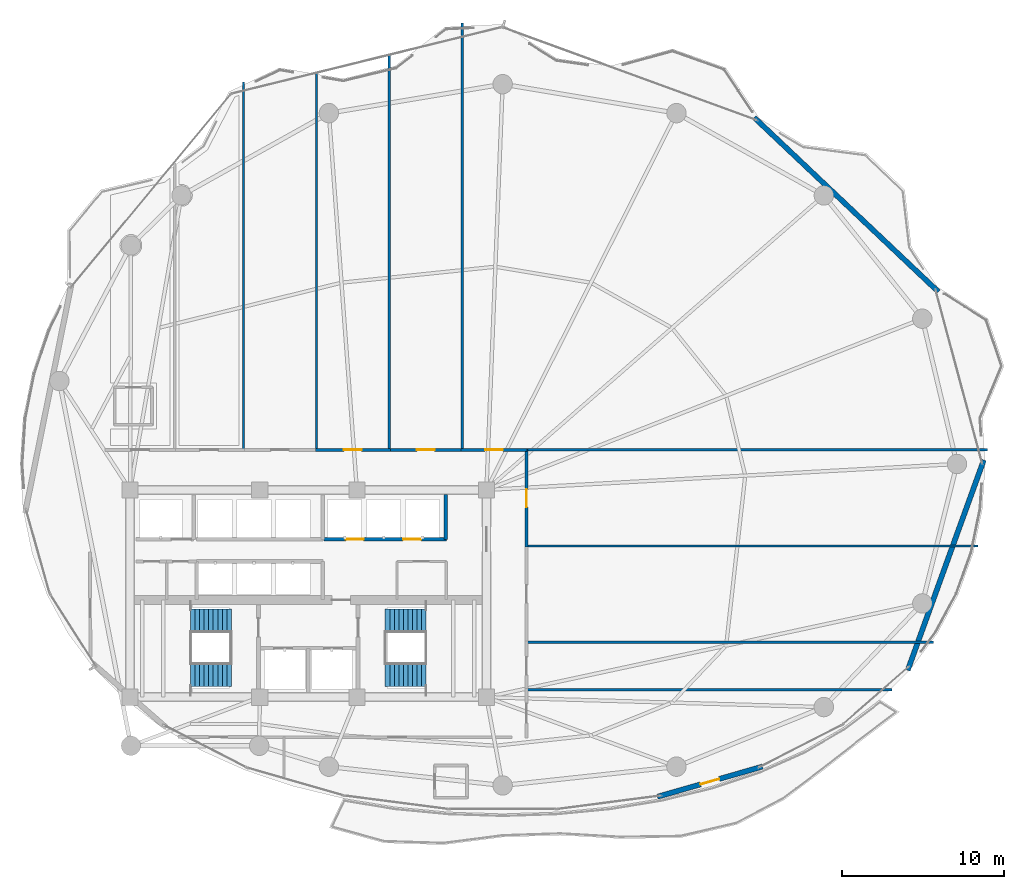
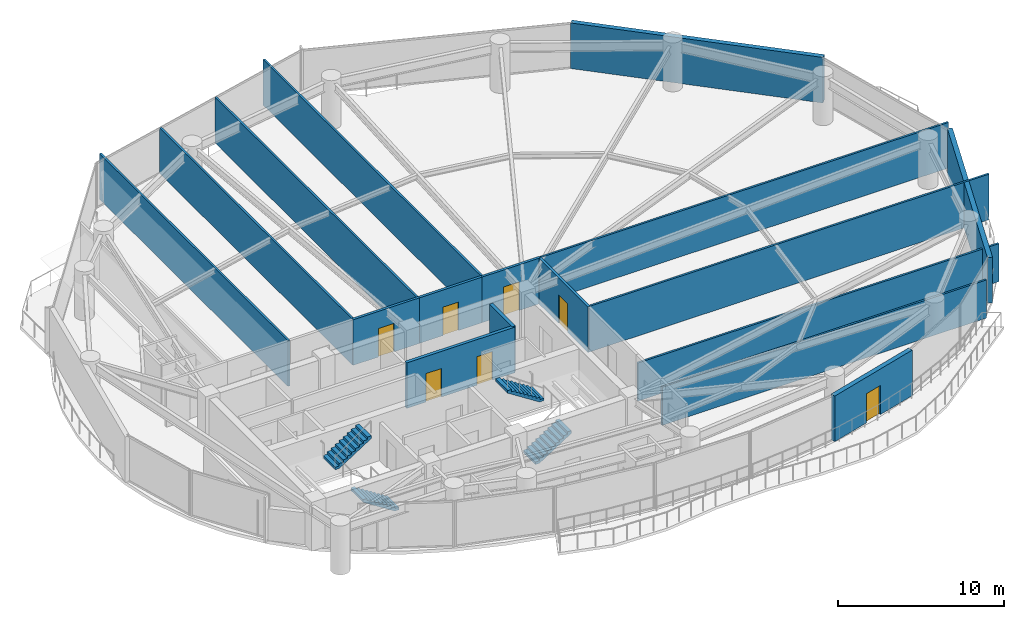
# One storey, part 24 of 28: 17 walls, 7 doors, 4 stair flights, 7 openings, 2 elements without a shape of their own.
"""IFC4 building model written with IfcOpenShell, lengths in metres."""

from ifc_helpers import new_model, si_unit, direction, frame, frame_2d, origin, place, context, subcontext, project, spatial, polyline, rectangle, outline, extrude, material, layer, layer_set, type_object, element, fill, aggregate, save


model = new_model("IFC4")

# Units and contexts
model_context = context("Model", 3, precision=1e-05, world=origin(), true_north=direction((0.0, 1.0)))
body_context = subcontext(model_context, "Body", "Model", "MODEL_VIEW")
ifc_project = project(units=[si_unit("LENGTHUNIT", "METRE"), si_unit("AREAUNIT", "SQUARE_METRE"), si_unit("VOLUMEUNIT", "CUBIC_METRE"), si_unit("PLANEANGLEUNIT", "RADIAN"), si_unit("MASSUNIT", "GRAM", prefix="KILO")], contexts=[model_context])

# Site, building, storey
site_placement = place(None, origin())
site = spatial("IfcSite", under=ifc_project, at=site_placement, CompositionType="ELEMENT")
building_placement = place(site_placement, origin())
building = spatial("IfcBuilding", under=site, at=building_placement, Name="Kazevale Care Tower and Concert Hall", CompositionType="ELEMENT")
storey_placement = place(building_placement, frame((0.0, 0.0, 102.60009765625)))
storey = spatial("IfcBuildingStorey", under=building, at=storey_placement, Name="L26", CompositionType="ELEMENT", Elevation=102.60009765625)

# Walls
ifc_material_1 = material(Name="Acoustic Gypsum on Steel Stud", Category="steel")
ifc_layer_1 = layer(ifc_material_1, 0.139892578125)
ifc_layer_set_1 = layer_set([ifc_layer_1], Name="Acoustic Gypsum on Steel Stud")
wall_type_1 = type_object("IfcWallType", Name="Acoustic Care & Suite Partition 140", PredefinedType="PARTITIONING", material=ifc_layer_set_1)
wall_1_placement = place(storey_placement, frame((29.0, 61.591064453125, 0.0), z_axis=(0.0, 0.0, 1.0), x_axis=(0.0, -1.0, 0.0)))
element("IfcWall", 1, at=wall_1_placement, inside=storey, type_object=wall_type_1, Name="wall:L26:auto_015", PredefinedType="PARTITIONING", context=body_context, shape_type="SweptSolid", body=[
    extrude(rectangle(XDim=22.74609375, YDim=0.139892578125, at=frame_2d((11.373046875, 0.0))), origin(), (0.0, 0.0, 1.0), 3.35986328125),
])
wall_2_placement = place(storey_placement, frame((33.5, 62.13720703125, 0.0), z_axis=(0.0, 0.0, 1.0), x_axis=(0.0, -1.0, 0.0)))
element("IfcWall", 2, at=wall_2_placement, inside=storey, type_object=wall_type_1, Name="wall:L26:auto_016", PredefinedType="PARTITIONING", context=body_context, shape_type="SweptSolid", body=[
    extrude(rectangle(XDim=23.292236328125, YDim=0.139892578125, at=frame_2d((11.64599609375, 0.0))), origin(), (0.0, 0.0, 1.0), 3.35986328125),
])
wall_3_placement = place(storey_placement, frame((38.0, 63.2451171875, 0.0), z_axis=(0.0, 0.0, 1.0), x_axis=(0.0, -1.0, 0.0)))
element("IfcWall", 3, at=wall_3_placement, inside=storey, type_object=wall_type_1, Name="wall:L26:auto_017", PredefinedType="PARTITIONING", context=body_context, shape_type="SweptSolid", body=[
    extrude(rectangle(XDim=24.400146484375, YDim=0.139892578125, at=frame_2d((12.2001953125, 0.0))), origin(), (0.0, 0.0, 1.0), 3.35986328125),
])
wall_4_placement = place(storey_placement, frame((42.5, 65.22998046875, 0.0), z_axis=(0.0, 0.0, 1.0), x_axis=(0.0, -1.0, 0.0)))
element("IfcWall", 4, at=wall_4_placement, inside=storey, type_object=wall_type_1, Name="wall:L26:auto_018", PredefinedType="PARTITIONING", context=body_context, shape_type="SweptSolid", body=[
    extrude(rectangle(XDim=26.385009765625, YDim=0.139892578125, at=frame_2d((13.1923828125, 0.0))), origin(), (0.0, 0.0, 1.0), 3.35986328125),
])
wall_5_placement = place(storey_placement, frame((74.94091796875, 38.875, 0.0), z_axis=(0.0, 0.0, 1.0), x_axis=(-1.0, 0.0, 0.0)))
element("IfcWall", 5, at=wall_5_placement, inside=storey, type_object=wall_type_1, Name="wall:L26:auto_019", PredefinedType="PARTITIONING", context=body_context, shape_type="SweptSolid", body=[
    extrude(rectangle(XDim=28.531005859375, YDim=0.139892578125, at=frame_2d((14.265625, 0.0))), origin(), (0.0, 0.0, 1.0), 3.35986328125),
])
wall_6_placement = place(storey_placement, frame((46.445068359375, 24.06005859375, 0.0), z_axis=(0.0, 0.0, 1.0), x_axis=(1.0, 0.0, 0.0)))
element("IfcWall", 6, at=wall_6_placement, inside=storey, type_object=wall_type_1, Name="wall:L26:auto_020", PredefinedType="PARTITIONING", context=body_context, shape_type="SweptSolid", body=[
    extrude(rectangle(XDim=22.5908203125, YDim=0.139892578125, at=frame_2d((11.29541015625, 0.0))), origin(), (0.0, 0.0, 1.0), 2.805908203125),
])
wall_7_placement = place(storey_placement, frame((46.445068359375, 27.0, 0.0), z_axis=(0.0, 0.0, 1.0), x_axis=(1.0, 0.0, 0.0)))
element("IfcWall", 7, at=wall_7_placement, inside=storey, type_object=wall_type_1, Name="wall:L26:auto_021", PredefinedType="PARTITIONING", context=body_context, shape_type="SweptSolid", body=[
    extrude(rectangle(XDim=25.14794921875, YDim=0.139892578125, at=frame_2d((12.573974609375, 0.0))), origin(), (0.0, 0.0, 1.0), 2.805908203125),
])
wall_8_placement = place(storey_placement, frame((46.445068359375, 32.93994140625, 0.0), z_axis=(0.0, 0.0, 1.0), x_axis=(1.0, 0.0, 0.0)))
element("IfcWall", 8, at=wall_8_placement, inside=storey, type_object=wall_type_1, Name="wall:L26:auto_022", PredefinedType="PARTITIONING", context=body_context, shape_type="SweptSolid", body=[
    extrude(rectangle(XDim=27.89697265625, YDim=0.139892578125, at=frame_2d((13.948486328125, 0.0))), origin(), (0.0, 0.0, 1.0), 3.35986328125),
])

# Wall, openings, doors
ifc_material_2 = material(Name="Concrete C40", Category="concrete")
ifc_layer_2 = layer(ifc_material_2, 0.219970703125)
ifc_layer_set_2 = layer_set([ifc_layer_2], Name="Concrete C40")
wall_type_2 = type_object("IfcWallType", Name="Elevator Hoistway Shaft Wall 220", PredefinedType="SOLIDWALL", material=ifc_layer_set_2)
wall_9_placement = place(storey_placement, frame((33.97998046875, 33.35009765625, 0.0), z_axis=(0.0, 0.0, 1.0), x_axis=(1.0, 0.0, 0.0)))
wall_9 = element("IfcWall", 9, at=wall_9_placement, inside=storey, type_object=wall_type_2, Name="wall:L26:c_pm_s", PredefinedType="SOLIDWALL", context=body_context, shape_type="SweptSolid", body=[
    extrude(rectangle(XDim=7.5400390625, YDim=0.219970703125, at=frame_2d((3.77001953125, 0.0))), origin(), (0.0, 0.0, 1.0), 3.35986328125),
])
opening_1_placement = place(wall_9_placement, frame((1.3349609375, 0.0, 0.0)))
opening_1 = element("IfcOpeningElement", 10, at=opening_1_placement, cuts=wall_9, Name="Opening LD-PAX", PredefinedType="OPENING", context=body_context, shape_type="SweptSolid", body=[
    extrude(rectangle(XDim=1.10009765625, YDim=2.10009765625, at=frame_2d((0.550048828125, 1.050048828125))), frame((0.0, 0.119873046875, 0.0), z_axis=(0.0, -1.0, 0.0), x_axis=(1.0, 0.0, 0.0)), (0.0, 0.0, 1.0), 0.239990234375),
])
opening_2_placement = place(wall_9_placement, frame((4.87890625, 0.0, 0.0)))
opening_2 = element("IfcOpeningElement", 11, at=opening_2_placement, cuts=wall_9, Name="Opening LD-PAX", PredefinedType="OPENING", context=body_context, shape_type="SweptSolid", body=[
    extrude(rectangle(XDim=1.10009765625, YDim=2.10009765625, at=frame_2d((0.550048828125, 1.050048828125))), frame((0.0, 0.119873046875, 0.0), z_axis=(0.0, -1.0, 0.0), x_axis=(1.0, 0.0, 0.0)), (0.0, 0.0, 1.0), 0.239990234375),
])
ifc_material_3 = material(Name="Stainless Steel 316", Category="steel")
door_type_1 = type_object("IfcDoorType", Name="Passenger Lift Sliding Landing Door 1100x2100", OperationType="NOTDEFINED", PredefinedType="DOOR", material=ifc_material_3)
door_1_placement = place(opening_1_placement, origin())
door_1 = element("IfcDoor", 12, at=door_1_placement, inside=storey, type_object=door_type_1, Name="door:L26:ld_pm1", OperationType="SLIDING_TO_LEFT", OverallHeight=2.10009765625, OverallWidth=1.10009765625, PredefinedType="DOOR", context=body_context, shape_type="SweptSolid", body=[
    extrude(rectangle(XDim=1.10009765625, YDim=2.10009765625, at=frame_2d((0.550048828125, 1.050048828125))), frame((0.0, 0.02490234375, 0.0), z_axis=(0.0, -1.0, 0.0), x_axis=(1.0, 0.0, 0.0)), (0.0, 0.0, 1.0), 0.050048828125),
])
fill(opening_1, door_1)
door_2_placement = place(opening_2_placement, origin())
door_2 = element("IfcDoor", 13, at=door_2_placement, inside=storey, type_object=door_type_1, Name="door:L26:ld_pm2", OperationType="SLIDING_TO_RIGHT", OverallHeight=2.10009765625, OverallWidth=1.10009765625, PredefinedType="DOOR", context=body_context, shape_type="SweptSolid", body=[
    extrude(rectangle(XDim=1.10009765625, YDim=2.10009765625, at=frame_2d((0.550048828125, 1.050048828125))), frame((0.0, 0.02490234375, 0.0), z_axis=(0.0, -1.0, 0.0), x_axis=(1.0, 0.0, 0.0)), (0.0, 0.0, 1.0), 0.050048828125),
])
fill(opening_2, door_2)

# Wall
wall_10_placement = place(storey_placement, frame((41.5, 33.35009765625, 0.0), z_axis=(0.0, 0.0, 1.0), x_axis=(0.0, 1.0, 0.0)))
element("IfcWall", 14, at=wall_10_placement, inside=storey, type_object=wall_type_2, Name="wall:L26:c_pm_e", PredefinedType="SOLIDWALL", context=body_context, shape_type="SweptSolid", body=[
    extrude(rectangle(XDim=2.75, YDim=0.219970703125, at=frame_2d((1.375, 0.0))), origin(), (0.0, 0.0, 1.0), 3.35986328125),
])

# Wall, opening, door
ifc_material_4 = material(Name="Concrete C40 and Acoustic Gypsum", Category="concrete")
ifc_layer_3 = layer(ifc_material_4, 0.179931640625)
ifc_layer_set_3 = layer_set([ifc_layer_3], Name="Concrete C40 and Acoustic Gypsum")
wall_type_3 = type_object("IfcWallType", Name="Fire-Rated Corridor & Party Wall 180", PredefinedType="PARTITIONING", material=ifc_layer_set_3)
wall_11_placement = place(storey_placement, frame((33.43505859375, 38.875, 0.0), z_axis=(0.0, 0.0, 1.0), x_axis=(1.0, 0.0, 0.0)))
wall_11 = element("IfcWall", 15, at=wall_11_placement, inside=storey, type_object=wall_type_3, Name="wall:L26:auto_004", PredefinedType="PARTITIONING", context=body_context, shape_type="SweptSolid", body=[
    extrude(rectangle(XDim=4.6298828125, YDim=0.179931640625, at=frame_2d((2.31494140625, 0.0))), origin(), (0.0, 0.0, 1.0), 3.35986328125),
])
opening_3_placement = place(wall_11_placement, frame((1.764892578125, 0.0, 0.0)))
opening_3 = element("IfcOpeningElement", 16, at=opening_3_placement, cuts=wall_11, Name="Opening ID-1100", PredefinedType="OPENING", context=body_context, shape_type="SweptSolid", body=[
    extrude(rectangle(XDim=1.10009765625, YDim=2.10009765625, at=frame_2d((0.550048828125, 1.050048828125))), frame((0.0, 0.099853515625, 0.0), z_axis=(0.0, -1.0, 0.0), x_axis=(1.0, 0.0, 0.0)), (0.0, 0.0, 1.0), 0.199951171875),
])
ifc_material_5 = material(Name="Oak Timber Fire Leaf", Category="wood")
door_type_2 = type_object("IfcDoorType", Name="Care Bedroom Accessible Door 1100x2100", OperationType="NOTDEFINED", PredefinedType="DOOR", material=ifc_material_5)
door_3_placement = place(opening_3_placement, origin())
door_3 = element("IfcDoor", 17, at=door_3_placement, inside=storey, type_object=door_type_2, Name="door:L26:ad_004", OperationType="SINGLE_SWING_LEFT", OverallHeight=2.10009765625, OverallWidth=1.10009765625, PredefinedType="DOOR", context=body_context, shape_type="SweptSolid", body=[
    extrude(rectangle(XDim=1.10009765625, YDim=2.10009765625, at=frame_2d((0.550048828125, 1.050048828125))), frame((0.0, 0.02490234375, 0.0), z_axis=(0.0, -1.0, 0.0), x_axis=(1.0, 0.0, 0.0)), (0.0, 0.0, 1.0), 0.050048828125),
])
fill(opening_3, door_3)

wall_12_placement = place(storey_placement, frame((37.93505859375, 38.875, 0.0), z_axis=(0.0, 0.0, 1.0), x_axis=(1.0, 0.0, 0.0)))
wall_12 = element("IfcWall", 18, at=wall_12_placement, inside=storey, type_object=wall_type_3, Name="wall:L26:auto_005", PredefinedType="PARTITIONING", context=body_context, shape_type="SweptSolid", body=[
    extrude(rectangle(XDim=4.6298828125, YDim=0.179931640625, at=frame_2d((2.31494140625, 0.0))), origin(), (0.0, 0.0, 1.0), 3.35986328125),
])
opening_4_placement = place(wall_12_placement, frame((1.764892578125, 0.0, 0.0)))
opening_4 = element("IfcOpeningElement", 19, at=opening_4_placement, cuts=wall_12, Name="Opening ID-1100", PredefinedType="OPENING", context=body_context, shape_type="SweptSolid", body=[
    extrude(rectangle(XDim=1.10009765625, YDim=2.10009765625, at=frame_2d((0.550048828125, 1.050048828125))), frame((0.0, 0.099853515625, 0.0), z_axis=(0.0, -1.0, 0.0), x_axis=(1.0, 0.0, 0.0)), (0.0, 0.0, 1.0), 0.199951171875),
])
door_4_placement = place(opening_4_placement, origin())
door_4 = element("IfcDoor", 20, at=door_4_placement, inside=storey, type_object=door_type_2, Name="door:L26:ad_005", OperationType="SINGLE_SWING_LEFT", OverallHeight=2.10009765625, OverallWidth=1.10009765625, PredefinedType="DOOR", context=body_context, shape_type="SweptSolid", body=[
    extrude(rectangle(XDim=1.10009765625, YDim=2.10009765625, at=frame_2d((0.550048828125, 1.050048828125))), frame((0.0, 0.02490234375, 0.0), z_axis=(0.0, -1.0, 0.0), x_axis=(1.0, 0.0, 0.0)), (0.0, 0.0, 1.0), 0.050048828125),
])
fill(opening_4, door_4)

wall_13_placement = place(storey_placement, frame((42.43505859375, 38.875, 0.0), z_axis=(0.0, 0.0, 1.0), x_axis=(1.0, 0.0, 0.0)))
wall_13 = element("IfcWall", 21, at=wall_13_placement, inside=storey, type_object=wall_type_3, Name="wall:L26:auto_006", PredefinedType="PARTITIONING", context=body_context, shape_type="SweptSolid", body=[
    extrude(rectangle(XDim=4.06982421875, YDim=0.179931640625, at=frame_2d((2.034912109375, 0.0))), origin(), (0.0, 0.0, 1.0), 3.35986328125),
])
opening_5_placement = place(wall_13_placement, frame((1.485107421875, 0.0, 0.0)))
opening_5 = element("IfcOpeningElement", 22, at=opening_5_placement, cuts=wall_13, Name="Opening ID-1100", PredefinedType="OPENING", context=body_context, shape_type="SweptSolid", body=[
    extrude(rectangle(XDim=1.10009765625, YDim=2.10009765625, at=frame_2d((0.550048828125, 1.050048828125))), frame((0.0, 0.099853515625, 0.0), z_axis=(0.0, -1.0, 0.0), x_axis=(1.0, 0.0, 0.0)), (0.0, 0.0, 1.0), 0.199951171875),
])
door_5_placement = place(opening_5_placement, origin())
door_5 = element("IfcDoor", 23, at=door_5_placement, inside=storey, type_object=door_type_2, Name="door:L26:ad_006", OperationType="SINGLE_SWING_LEFT", OverallHeight=2.10009765625, OverallWidth=1.10009765625, PredefinedType="DOOR", context=body_context, shape_type="SweptSolid", body=[
    extrude(rectangle(XDim=1.10009765625, YDim=2.10009765625, at=frame_2d((0.550048828125, 1.050048828125))), frame((0.0, 0.02490234375, 0.0), z_axis=(0.0, -1.0, 0.0), x_axis=(1.0, 0.0, 0.0)), (0.0, 0.0, 1.0), 0.050048828125),
])
fill(opening_5, door_5)

wall_14_placement = place(storey_placement, frame((46.47509765625, 38.905029296875, 0.0), z_axis=(0.0, 0.0, 1.0), x_axis=(0.0, -1.0, 0.0)))
wall_14 = element("IfcWall", 24, at=wall_14_placement, inside=storey, type_object=wall_type_3, Name="wall:L26:auto_010", PredefinedType="PARTITIONING", context=body_context, shape_type="SweptSolid", body=[
    extrude(rectangle(XDim=6.030029296875, YDim=0.179931640625, at=frame_2d((3.01513671875, 0.0))), origin(), (0.0, 0.0, 1.0), 3.35986328125),
])
opening_6_placement = place(wall_14_placement, frame((2.465087890625, 0.0, 0.0)))
opening_6 = element("IfcOpeningElement", 25, at=opening_6_placement, cuts=wall_14, Name="Opening ID-1100", PredefinedType="OPENING", context=body_context, shape_type="SweptSolid", body=[
    extrude(rectangle(XDim=1.10009765625, YDim=2.10009765625, at=frame_2d((0.550048828125, 1.050048828125))), frame((0.0, 0.099853515625, 0.0), z_axis=(0.0, -1.0, 0.0), x_axis=(1.0, 0.0, 0.0)), (0.0, 0.0, 1.0), 0.199951171875),
])
door_6_placement = place(opening_6_placement, origin())
door_6 = element("IfcDoor", 26, at=door_6_placement, inside=storey, type_object=door_type_2, Name="door:L26:ad_010", OperationType="SINGLE_SWING_LEFT", OverallHeight=2.10009765625, OverallWidth=1.10009765625, PredefinedType="DOOR", context=body_context, shape_type="SweptSolid", body=[
    extrude(rectangle(XDim=1.10009765625, YDim=2.10009765625, at=frame_2d((0.550048828125, 1.050048828125))), frame((0.0, 0.02490234375, 0.0), z_axis=(0.0, -1.0, 0.0), x_axis=(1.0, 0.0, 0.0)), (0.0, 0.0, 1.0), 0.050048828125),
])
fill(opening_6, door_6)

# Wall
ifc_material_6 = material(Name="Concrete C40 with Honed Limestone Cladding", Category="masonry")
ifc_layer_4 = layer(ifc_material_6, 0.320068359375)
ifc_layer_set_4 = layer_set([ifc_layer_4], Name="Concrete C40 with Honed Limestone Cladding")
wall_type_4 = type_object("IfcWallType", Name="Tower Honed Limestone Spandrel Wall 320", PredefinedType="STANDARD", material=ifc_layer_set_4)
wall_15_placement = place(storey_placement, frame((74.7080078125, 38.243896484375, 0.0), z_axis=(0.0, 0.0, 1.0), x_axis=(-0.340324669139, -0.94030799187, 0.0)))
element("IfcWall", 27, at=wall_15_placement, inside=storey, type_object=wall_type_4, Name="wall:cw:L26:f01", PredefinedType="STANDARD", context=body_context, shape_type="SweptSolid", body=[
    extrude(rectangle(XDim=13.810302734375, YDim=0.320068359375, at=frame_2d((6.9052734375, 0.0))), origin(), (0.0, 0.0, 1.0), 3.35986328125),
])

# Wall, opening, door
wall_16_placement = place(storey_placement, frame((61.0390625, 19.31689453125, 0.0), z_axis=(0.0, 0.0, 1.0), x_axis=(-0.96106509915, -0.276322049784, 0.0)))
wall_16 = element("IfcWall", 28, at=wall_16_placement, inside=storey, type_object=wall_type_4, Name="wall:L26:bal_host", PredefinedType="STANDARD", context=body_context, shape_type="SweptSolid", body=[
    extrude(rectangle(XDim=6.745849609375, YDim=0.320068359375, at=frame_2d((3.373046875, 0.0))), origin(), (0.0, 0.0, 1.0), 3.35986328125),
])
opening_7_placement = place(wall_16_placement, frame((2.77294921875, 0.0, 0.0)))
opening_7 = element("IfcOpeningElement", 29, at=opening_7_placement, cuts=wall_16, Name="Opening BD-1200", PredefinedType="OPENING", context=body_context, shape_type="SweptSolid", body=[
    extrude(rectangle(XDim=1.199951171875, YDim=2.14990234375, at=frame_2d((0.60009765625, 1.074951171875))), frame((0.0, 0.169921875, 0.0), z_axis=(0.0, -1.0, 0.0), x_axis=(1.0, 0.0, 0.0)), (0.0, 0.0, 1.0), 0.340087890625),
])
ifc_material_7 = material(Name="Aluminium 6063-T6 and Low-E Glass", Category="aluminium")
door_type_3 = type_object("IfcDoorType", Name="Sheltered Balcony Glazed Door 1200x2150", OperationType="NOTDEFINED", PredefinedType="DOOR", material=ifc_material_7)
door_7_placement = place(opening_7_placement, origin())
door_7 = element("IfcDoor", 30, at=door_7_placement, inside=storey, type_object=door_type_3, Name="door:L26:BD-1", OperationType="SINGLE_SWING_LEFT", OverallHeight=2.14990234375, OverallWidth=1.199951171875, PredefinedType="DOOR", context=body_context, shape_type="SweptSolid", body=[
    extrude(rectangle(XDim=1.199951171875, YDim=2.14990234375, at=frame_2d((0.60009765625, 1.074951171875))), frame((0.0, 0.02490234375, 0.0), z_axis=(0.0, -1.0, 0.0), x_axis=(1.0, 0.0, 0.0)), (0.0, 0.0, 1.0), 0.050048828125),
])
fill(opening_7, door_7)

# Wall
wall_17_placement = place(storey_placement, frame((60.5380859375, 59.383056640625, 0.0), z_axis=(0.0, 0.0, 1.0), x_axis=(0.726378346584, -0.687295058628, 0.0)))
element("IfcWall", 31, at=wall_17_placement, inside=storey, type_object=wall_type_4, Name="wall:cw:L26:f17", PredefinedType="STANDARD", context=body_context, shape_type="SweptSolid", body=[
    extrude(rectangle(XDim=15.654052734375, YDim=0.320068359375, at=frame_2d((7.8271484375, 0.0))), origin(), (0.0, 0.0, 1.0), 3.35986328125),
])

# Stair, stair flights
stair_type = type_object("IfcStairType", Name="Exit Stair Assembly ST1-Z2", PredefinedType="HALF_TURN_STAIR", material=ifc_material_2)
stair_1_placement = place(storey_placement, origin())
stair_1 = element("IfcStair", 32, at=stair_1_placement, inside=storey, type_object=stair_type, Name="stair:L26:ST1", PredefinedType="HALF_TURN_STAIR")
ifc_layer_5 = layer(ifc_material_2, 0.159912109375)
ifc_layer_set_5 = layer_set([ifc_layer_5], Name="Concrete C40")
stair_flight_type = type_object("IfcStairFlightType", Name="Exit Stair Flight ST1-Z2", PredefinedType="STRAIGHT", material=ifc_layer_set_5)
stair_flight_1_placement = place(storey_placement, frame((28.25, 24.97998046875, 0.0), z_axis=(0.0, 0.0, 1.0), x_axis=(-1.0, 0.0, 0.0)))
stair_flight_1 = element("IfcStairFlight", 33, at=stair_flight_1_placement, type_object=stair_flight_type, Name="ST1-Z2 flight 1", NumberOfRisers=10, NumberOfTreads=9, PredefinedType="STRAIGHT", RiserHeight=0.18, TreadLength=0.28, context=body_context, shape_type="SweptSolid", body=[
    extrude(outline(polyline([(0.0, 0.0), (0.0, 0.179931640625), (0.280029296875, 0.179931640625), (0.280029296875, 0.360107421875), (0.56005859375, 0.360107421875), (0.56005859375, 0.5400390625), (0.840087890625, 0.5400390625), (0.840087890625, 0.719970703125), (1.1201171875, 0.719970703125), (1.1201171875, 0.89990234375), (1.39990234375, 0.89990234375), (1.39990234375, 1.080078125), (1.679931640625, 1.080078125), (1.679931640625, 1.260009765625), (1.9599609375, 1.260009765625), (1.9599609375, 1.43994140625), (2.239990234375, 1.43994140625), (2.239990234375, 1.6201171875), (2.52001953125, 1.6201171875), (2.52001953125, 1.800048828125), (2.52001953125, 1.429931640625), (0.295654296875, 0.0), (0.0, 0.0)])), frame((0.0, 0.72998046875, 0.0), z_axis=(0.0, -1.0, 0.0), x_axis=(1.0, 0.0, 0.0)), (0.0, 0.0, 1.0), 1.4599609375),
])
stair_flight_2_placement = place(storey_placement, frame((25.72998046875, 28.320068359375, 1.7998046875), z_axis=(0.0, 0.0, 1.0), x_axis=(1.0, 0.0, 0.0)))
stair_flight_2 = element("IfcStairFlight", 34, at=stair_flight_2_placement, type_object=stair_flight_type, Name="ST1-Z2 flight 2", NumberOfRisers=10, NumberOfTreads=9, PredefinedType="STRAIGHT", RiserHeight=0.18, TreadLength=0.28, context=body_context, shape_type="SweptSolid", body=[
    extrude(outline(polyline([(0.0, 0.0), (0.0, 0.179931640625), (0.280029296875, 0.179931640625), (0.280029296875, 0.360107421875), (0.56005859375, 0.360107421875), (0.56005859375, 0.5400390625), (0.840087890625, 0.5400390625), (0.840087890625, 0.719970703125), (1.1201171875, 0.719970703125), (1.1201171875, 0.89990234375), (1.39990234375, 0.89990234375), (1.39990234375, 1.080078125), (1.679931640625, 1.080078125), (1.679931640625, 1.260009765625), (1.9599609375, 1.260009765625), (1.9599609375, 1.43994140625), (2.239990234375, 1.43994140625), (2.239990234375, 1.6201171875), (2.52001953125, 1.6201171875), (2.52001953125, 1.800048828125), (2.52001953125, 1.429931640625), (0.295654296875, 0.0), (0.0, 0.0)])), frame((0.0, 0.72998046875, 0.0), z_axis=(0.0, -1.0, 0.0), x_axis=(1.0, 0.0, 0.0)), (0.0, 0.0, 1.0), 1.4599609375),
])
aggregate(stair_1, [stair_flight_1, stair_flight_2])

stair_2_placement = place(storey_placement, origin())
stair_2 = element("IfcStair", 35, at=stair_2_placement, inside=storey, type_object=stair_type, Name="stair:L26:ST2", PredefinedType="HALF_TURN_STAIR")
stair_flight_3_placement = place(storey_placement, frame((37.75, 24.97998046875, 0.0), z_axis=(0.0, 0.0, 1.0), x_axis=(1.0, 0.0, 0.0)))
stair_flight_3 = element("IfcStairFlight", 36, at=stair_flight_3_placement, type_object=stair_flight_type, Name="ST1-Z2 flight 1", NumberOfRisers=10, NumberOfTreads=9, PredefinedType="STRAIGHT", RiserHeight=0.18, TreadLength=0.28, context=body_context, shape_type="SweptSolid", body=[
    extrude(outline(polyline([(0.0, 0.0), (0.0, 0.179931640625), (0.280029296875, 0.179931640625), (0.280029296875, 0.360107421875), (0.56005859375, 0.360107421875), (0.56005859375, 0.5400390625), (0.840087890625, 0.5400390625), (0.840087890625, 0.719970703125), (1.1201171875, 0.719970703125), (1.1201171875, 0.89990234375), (1.39990234375, 0.89990234375), (1.39990234375, 1.080078125), (1.679931640625, 1.080078125), (1.679931640625, 1.260009765625), (1.9599609375, 1.260009765625), (1.9599609375, 1.43994140625), (2.239990234375, 1.43994140625), (2.239990234375, 1.6201171875), (2.52001953125, 1.6201171875), (2.52001953125, 1.800048828125), (2.52001953125, 1.429931640625), (0.295654296875, 0.0), (0.0, 0.0)])), frame((0.0, 0.72998046875, 0.0), z_axis=(0.0, -1.0, 0.0), x_axis=(1.0, 0.0, 0.0)), (0.0, 0.0, 1.0), 1.4599609375),
])
stair_flight_4_placement = place(storey_placement, frame((40.27001953125, 28.320068359375, 1.7998046875), z_axis=(0.0, 0.0, 1.0), x_axis=(-1.0, 0.0, 0.0)))
stair_flight_4 = element("IfcStairFlight", 37, at=stair_flight_4_placement, type_object=stair_flight_type, Name="ST1-Z2 flight 2", NumberOfRisers=10, NumberOfTreads=9, PredefinedType="STRAIGHT", RiserHeight=0.18, TreadLength=0.28, context=body_context, shape_type="SweptSolid", body=[
    extrude(outline(polyline([(0.0, 0.0), (0.0, 0.179931640625), (0.280029296875, 0.179931640625), (0.280029296875, 0.360107421875), (0.56005859375, 0.360107421875), (0.56005859375, 0.5400390625), (0.840087890625, 0.5400390625), (0.840087890625, 0.719970703125), (1.1201171875, 0.719970703125), (1.1201171875, 0.89990234375), (1.39990234375, 0.89990234375), (1.39990234375, 1.080078125), (1.679931640625, 1.080078125), (1.679931640625, 1.260009765625), (1.9599609375, 1.260009765625), (1.9599609375, 1.43994140625), (2.239990234375, 1.43994140625), (2.239990234375, 1.6201171875), (2.52001953125, 1.6201171875), (2.52001953125, 1.800048828125), (2.52001953125, 1.429931640625), (0.295654296875, 0.0), (0.0, 0.0)])), frame((0.0, 0.72998046875, 0.0), z_axis=(0.0, -1.0, 0.0), x_axis=(1.0, 0.0, 0.0)), (0.0, 0.0, 1.0), 1.4599609375),
])
aggregate(stair_2, [stair_flight_3, stair_flight_4])

save(model, "model.ifc")
